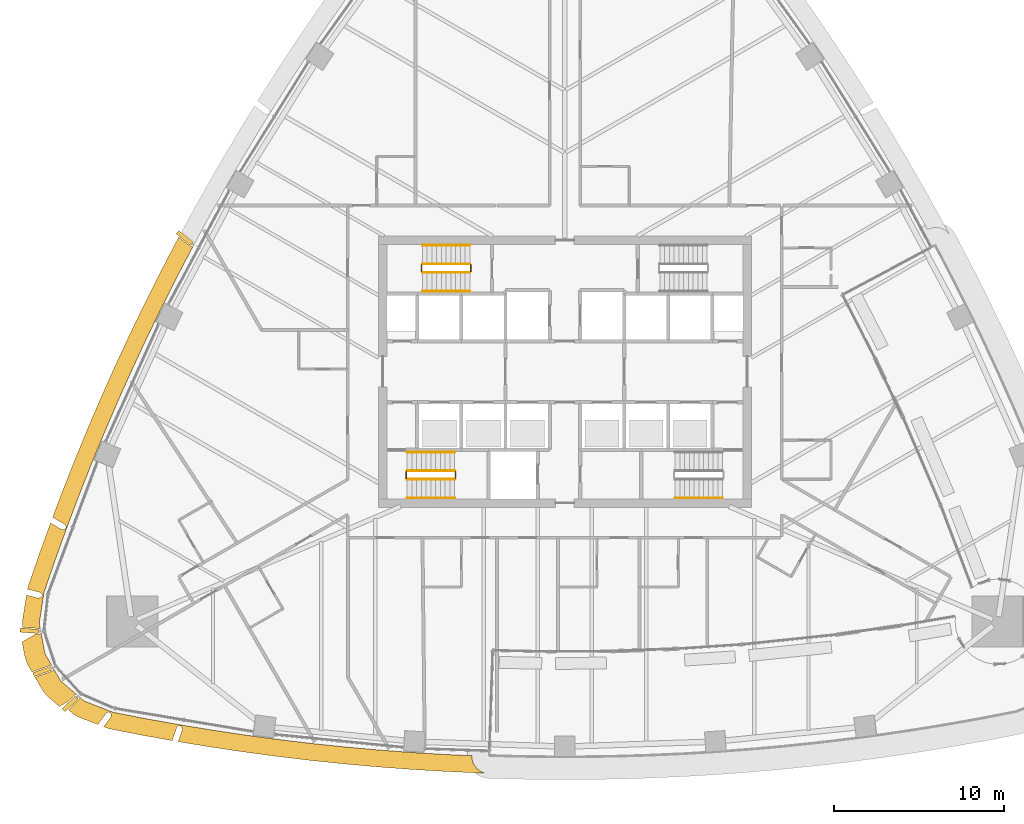
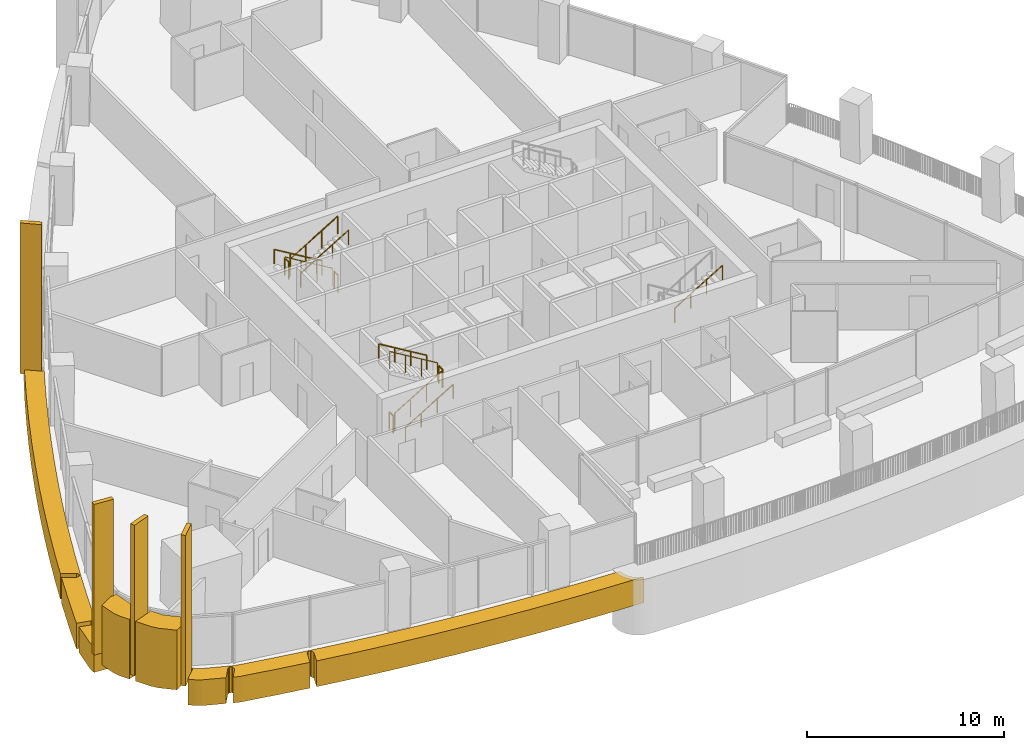
# One storey, part 18 of 22: 13 railings, 8 coverings.
"""IFC4 building model written with IfcOpenShell, lengths in metres."""

from ifc_helpers import new_model, si_unit, direction, frame, origin, origin_2d, place, context, subcontext, project, spatial, polyline, rectangle, circle, outline, extrude, material, layer, layer_set, material_profile, profile_set, type_object, element, save


model = new_model("IFC4")

# Units and contexts
model_context = context("Model", 3, precision=1e-05, world=origin(), true_north=direction((0.0, 1.0)))
body_context = subcontext(model_context, "Body", "Model", "MODEL_VIEW")
ifc_project = project(units=[si_unit("LENGTHUNIT", "METRE"), si_unit("AREAUNIT", "SQUARE_METRE"), si_unit("VOLUMEUNIT", "CUBIC_METRE"), si_unit("PLANEANGLEUNIT", "RADIAN"), si_unit("MASSUNIT", "GRAM", prefix="KILO")], contexts=[model_context])

# Site, building, storey
site_placement = place(None, origin())
site = spatial("IfcSite", under=ifc_project, at=site_placement, CompositionType="ELEMENT")
building_placement = place(site_placement, origin())
building = spatial("IfcBuilding", under=site, at=building_placement, Name="Sierra Prisma Convention Tower", CompositionType="ELEMENT")
storey_placement = place(building_placement, frame((0.0, 0.0, 103.5)))
storey = spatial("IfcBuildingStorey", under=building, at=storey_placement, Name="L22", CompositionType="ELEMENT", Elevation=103.5)

# Coverings
ifc_material_1 = material(Name="Aluminium composite bronze anodised", Category="aluminium")
ifc_layer_1 = layer(ifc_material_1, 1.199951171875)
ifc_layer_set_1 = layer_set([ifc_layer_1], Name="Bronze corner pier")
covering_type_1 = type_object("IfcCoveringType", Name="Bronze corner pier", PredefinedType="CLADDING", material=ifc_layer_set_1)
covering_1_placement = place(storey_placement, frame((0.0, 0.0, -0.60009765625)))
element("IfcCovering", 1, at=covering_1_placement, inside=storey, type_object=covering_type_1, Name="Corner pier SW L22.1", PredefinedType="CLADDING", context=body_context, shape_type="SweptSolid", body=[
    extrude(outline(polyline([(-31.223876953125, -15.48681640625), (-31.04638671875, -15.50048828125), (-31.04150390625, -15.50048828125), (-31.036376953125, -15.500244140625), (-31.031494140625, -15.49951171875), (-31.02685546875, -15.498046875), (-31.022216796875, -15.49609375), (-31.017578125, -15.493896484375), (-31.013427734375, -15.4912109375), (-30.8955078125, -15.4072265625), (-30.6650390625, -16.6416015625), (-30.260986328125, -17.341552734375), (-30.345703125, -17.33154296875), (-30.350341796875, -17.331298828125), (-30.35498046875, -17.331298828125), (-30.359619140625, -17.33203125), (-30.3642578125, -17.3330078125), (-30.36865234375, -17.334228515625), (-31.40234375, -17.71044921875), (-31.40673828125, -17.71240234375), (-31.4111328125, -17.71484375), (-31.415283203125, -17.717529296875), (-31.4189453125, -17.720703125), (-31.42236328125, -17.72412109375), (-31.42431640625, -17.7265625), (-31.7041015625, -17.24169921875), (-31.844482421875, -16.862060546875), (-32.01611328125, -15.944091796875), (-31.223876953125, -15.48681640625)])), origin(), (0.0, 0.0, 1.0), 3.7001953125),
])
covering_2_placement = place(storey_placement, frame((0.0, 0.0, -0.60009765625)))
element("IfcCovering", 2, at=covering_2_placement, inside=storey, type_object=covering_type_1, Name="Corner pier SW L22.2", PredefinedType="CLADDING", context=body_context, shape_type="SweptSolid", body=[
    extrude(outline(polyline([(-28.794921875, -19.04931640625), (-28.8896484375, -19.07470703125), (-28.89453125, -19.076416015625), (-28.899169921875, -19.078369140625), (-28.903564453125, -19.080810546875), (-28.90771484375, -19.083984375), (-28.91162109375, -19.08740234375), (-29.272216796875, -19.440673828125), (-29.816162109375, -19.754638671875), (-30.525390625, -19.147216796875), (-30.783935546875, -18.835693359375), (-31.25048828125, -18.027587890625), (-30.248779296875, -17.6630859375), (-30.24462890625, -17.661376953125), (-30.240478515625, -17.6591796875), (-30.236572265625, -17.65673828125), (-30.23291015625, -17.65380859375), (-30.229736328125, -17.650634765625), (-30.2265625, -17.64697265625), (-30.223876953125, -17.643310546875), (-30.151611328125, -17.53076171875), (-29.74462890625, -18.23583984375), (-28.794921875, -19.04931640625)])), origin(), (0.0, 0.0, 1.0), 3.7001953125),
])
ifc_material_2 = material(Name="Aluminium 6063-T6 bronze anodised", Category="aluminium")
ifc_material_profile = material_profile(ifc_material_2, rectangle(XDim=1.10009765625, YDim=0.25, at=origin_2d()), Name="ALU FIN 1100x250")
ifc_profile_set = profile_set([ifc_material_profile], Name="Aluminium 6063-T6 bronze anodised")
covering_type_2 = type_object("IfcCoveringType", Name="Bronze facade fin", PredefinedType="CLADDING", material=ifc_profile_set)
for number, where, z_axis, x_axis, name in (
    (3, (-22.41845703125, 7.881591796875, -0.300048828125), (0.0, 0.0, 1.0), (-0.784743456206, 0.619820706287, 0.0), "Fin L22.25"),
    (4, (-31.581298828125, -15.28369140625, -0.300048828125), (0.0, 0.0, 1.0), (-0.997028311652, 0.07703600304, 0.0), "Fin L22.33"),
    (5, (-30.82568359375, -17.686767578125, -0.300048828125), (0.0, 0.0, 1.0), (-0.939692620786, -0.342020143326, 0.0), "Fin L22.34"),
    (6, (-29.181884765625, -19.59716796875, -0.300048828125), (0.0, 0.0, 1.0), (-0.714250209519, -0.699890447286, 0.0), "Fin L22.35"),
):
    element("IfcCovering", number, at=place(storey_placement, frame(where, z_axis=z_axis, x_axis=x_axis)), inside=storey, type_object=covering_type_2, Name=name, ObjectType="FIN", PredefinedType="CLADDING", context=body_context, shape_type="SweptSolid", body=[
        extrude(rectangle(XDim=1.10009765625, YDim=0.25, at=origin_2d()), origin(), (0.0, 0.0, 1.0), 9.35009765625),
    ])
ifc_material_3 = material(Name="Aluminium composite bronze anodised", Category="aluminium")
ifc_layer_2 = layer(ifc_material_3, 1.0)
ifc_layer_set_2 = layer_set([ifc_layer_2], Name="Bronze spandrel band")
covering_type_3 = type_object("IfcCoveringType", Name="Bronze spandrel band", PredefinedType="CLADDING", material=ifc_layer_set_2)
covering_3_placement = place(storey_placement, frame((0.0, 0.0, -1.60009765625)))
element("IfcCovering", 7, at=covering_3_placement, inside=storey, type_object=covering_type_3, Name="Spandrel band L22.1", PredefinedType="CLADDING", context=body_context, shape_type="SweptSolid", body=[
    extrude(outline(polyline([(-22.074462890625, 7.3935546875), (-22.06982421875, 7.392822265625), (-22.065185546875, 7.392578125), (-21.931640625, 7.39013671875), (-22.120361328125, 7.039794921875), (-23.035888671875, 5.27783203125), (-23.647216796875, 4.0576171875), (-23.648681640625, 4.055908203125), (-23.65234375, 4.052490234375), (-23.655517578125, 4.048828125), (-23.658203125, 4.044921875), (-23.660400390625, 4.040771484375), (-24.18994140625, 2.9638671875), (-24.19189453125, 2.95947265625), (-24.193359375, 2.95458984375), (-24.1943359375, 2.949951171875), (-24.195068359375, 2.945068359375), (-24.195068359375, 2.943115234375), (-24.7880859375, 1.7138671875), (-25.62451171875, -0.08740234375), (-26.43408203125, -1.900634765625), (-27.216796875, -3.7255859375), (-27.359130859375, -4.0712890625), (-27.359375, -4.07177734375), (-27.362548828125, -4.0751953125), (-27.365234375, -4.0791015625), (-27.36767578125, -4.083251953125), (-27.36962890625, -4.08740234375), (-27.826416015625, -5.197265625), (-27.827880859375, -5.201904296875), (-27.8291015625, -5.20654296875), (-27.829833984375, -5.21142578125), (-27.830078125, -5.21630859375), (-27.972412109375, -5.56201171875), (-28.70068359375, -7.409423828125), (-29.401611328125, -9.267578125), (-30.07470703125, -11.135498046875), (-30.72021484375, -13.013671875), (-31.0029296875, -14.83251953125), (-30.935791015625, -15.191650390625), (-30.99951171875, -15.1572265625), (-31.00439453125, -15.155029296875), (-31.00927734375, -15.1533203125), (-31.01416015625, -15.152099609375), (-31.019287109375, -15.151611328125), (-31.974609375, -15.07763671875), (-31.986083984375, -15.01611328125), (-31.9912109375, -14.6787109375), (-31.75830078125, -13.180908203125), (-31.05810546875, -13.353515625), (-31.052978515625, -13.3544921875), (-31.048095703125, -13.35498046875), (-31.043212890625, -13.354736328125), (-31.0380859375, -13.354248046875), (-31.033203125, -13.353271484375), (-31.0283203125, -13.3515625), (-30.887451171875, -13.298095703125), (-30.883056640625, -13.296142578125), (-30.87890625, -13.2939453125), (-30.875, -13.291259765625), (-30.871337890625, -13.2880859375), (-30.867919921875, -13.28466796875), (-30.864990234375, -13.281005859375), (-30.8623046875, -13.277099609375), (-30.860107421875, -13.272705078125), (-30.8583984375, -13.268310546875), (-30.856689453125, -13.263916015625), (-30.85595703125, -13.259033203125), (-30.840576171875, -13.160400390625), (-30.840087890625, -13.155517578125), (-30.83984375, -13.150634765625), (-30.84033203125, -13.145751953125), (-30.84130859375, -13.14111328125), (-30.842529296875, -13.13623046875), (-30.844482421875, -13.1318359375), (-30.8466796875, -13.12744140625), (-30.849365234375, -13.123291015625), (-30.852294921875, -13.11962890625), (-30.855712890625, -13.1162109375), (-30.951904296875, -13.025634765625), (-30.955810546875, -13.0224609375), (-30.960205078125, -13.01953125), (-30.964599609375, -13.01708984375), (-30.969482421875, -13.01513671875), (-30.974365234375, -13.013671875), (-31.701904296875, -12.834228515625), (-31.666015625, -12.6884765625), (-31.0205078125, -10.810546875), (-31.015380859375, -10.796630859375), (-30.34228515625, -8.928466796875), (-30.339599609375, -8.921142578125), (-29.6904296875, -9.30517578125), (-29.686279296875, -9.307373046875), (-29.681884765625, -9.30908203125), (-29.677490234375, -9.310546875), (-29.673095703125, -9.3115234375), (-29.66845703125, -9.31201171875), (-29.663818359375, -9.312255859375), (-29.6591796875, -9.311767578125), (-29.500732421875, -9.293212890625), (-29.495849609375, -9.29248046875), (-29.4912109375, -9.291259765625), (-29.486328125, -9.289306640625), (-29.48193359375, -9.287109375), (-29.477783203125, -9.284423828125), (-29.473876953125, -9.281494140625), (-29.47021484375, -9.278076171875), (-29.467041015625, -9.274169921875), (-29.464111328125, -9.27001953125), (-29.4619140625, -9.265869140625), (-29.459716796875, -9.26123046875), (-29.424560546875, -9.16748046875), (-29.423095703125, -9.16259765625), (-29.422119140625, -9.15771484375), (-29.42138671875, -9.152587890625), (-29.42138671875, -9.147216796875), (-29.422119140625, -9.14208984375), (-29.423095703125, -9.13720703125), (-29.4248046875, -9.132080078125), (-29.4267578125, -9.12744140625), (-29.42919921875, -9.123046875), (-29.49560546875, -9.02001953125), (-29.498291015625, -9.01611328125), (-29.50146484375, -9.0126953125), (-29.504638671875, -9.009521484375), (-29.50830078125, -9.006591796875), (-29.51220703125, -9.00390625), (-30.214111328125, -8.588623046875), (-29.63623046875, -7.056396484375), (-29.631103515625, -7.042724609375), (-28.902587890625, -5.1953125), (-28.897216796875, -5.181640625), (-28.1416015625, -3.34521484375), (-28.1357421875, -3.33154296875), (-27.353271484375, -1.50634765625), (-27.34716796875, -1.492919921875), (-26.53759765625, 0.3203125), (-26.531494140625, 0.333984375), (-25.695068359375, 2.135009765625), (-25.688720703125, 2.148193359375), (-24.82568359375, 3.936767578125), (-24.8193359375, 3.9501953125), (-23.929931640625, 5.7255859375), (-23.923095703125, 5.73876953125), (-23.0078125, 7.5009765625), (-23.000732421875, 7.51416015625), (-22.7724609375, 7.93798828125), (-22.095458984375, 7.4033203125), (-22.091552734375, 7.400634765625), (-22.087646484375, 7.398193359375), (-22.08349609375, 7.396240234375), (-22.0791015625, 7.394775390625), (-22.074462890625, 7.3935546875)])), origin(), (0.0, 0.0, 1.0), 1.60009765625),
])
covering_4_placement = place(storey_placement, frame((0.0, 0.0, -1.60009765625)))
element("IfcCovering", 8, at=covering_4_placement, inside=storey, type_object=covering_type_3, Name="Spandrel band L22.2", PredefinedType="CLADDING", context=body_context, shape_type="SweptSolid", body=[
    extrude(outline(polyline([(-17.210693359375, -21.658935546875), (-17.205810546875, -21.657958984375), (-17.205810546875, -21.657958984375), (-16.8349609375, -21.70751953125), (-14.863037109375, -21.9423828125), (-12.887939453125, -22.147705078125), (-10.909912109375, -22.323974609375), (-9.548828125, -22.425048828125), (-9.547119140625, -22.42578125), (-9.54248046875, -22.427978515625), (-9.537841796875, -22.429443359375), (-9.533203125, -22.430419921875), (-9.5283203125, -22.430908203125), (-8.330810546875, -22.510986328125), (-8.326171875, -22.510986328125), (-8.3212890625, -22.510498046875), (-8.31640625, -22.509765625), (-8.31201171875, -22.508544921875), (-8.309814453125, -22.5078125), (-6.947265625, -22.58837890625), (-5.47900390625, -22.65380859375), (-5.47900390625, -22.65771484375), (-5.477294921875, -22.758056640625), (-5.4658203125, -22.85791015625), (-5.444580078125, -22.955810546875), (-5.4140625, -23.051513671875), (-5.3740234375, -23.143310546875), (-5.3251953125, -23.23095703125), (-5.26806640625, -23.3134765625), (-5.203125, -23.389892578125), (-5.130859375, -23.45947265625), (-5.05224609375, -23.521728515625), (-4.9677734375, -23.575927734375), (-4.87841796875, -23.62158203125), (-4.78515625, -23.658203125), (-4.689697265625, -23.685302734375), (-4.992919921875, -23.67626953125), (-5.0078125, -23.67578125), (-6.99169921875, -23.58740234375), (-7.00634765625, -23.586669921875), (-8.98876953125, -23.46923828125), (-9.00341796875, -23.46826171875), (-10.98388671875, -23.3212890625), (-10.99853515625, -23.320068359375), (-12.9765625, -23.143798828125), (-12.9912109375, -23.142578125), (-14.966552734375, -22.93701171875), (-14.981201171875, -22.935302734375), (-16.953125, -22.70068359375), (-16.9677734375, -22.69873046875), (-18.935791015625, -22.434814453125), (-18.95068359375, -22.432861328125), (-20.914794921875, -22.139892578125), (-20.92919921875, -22.137451171875), (-22.814208984375, -21.82763671875), (-22.563720703125, -21.1162109375), (-22.5625, -21.11181640625), (-22.561279296875, -21.107421875), (-22.560791015625, -21.102783203125), (-22.560791015625, -21.097900390625), (-22.561279296875, -21.093505859375), (-22.56201171875, -21.0888671875), (-22.563232421875, -21.084228515625), (-22.6123046875, -20.9326171875), (-22.614013671875, -20.927978515625), (-22.6162109375, -20.923583984375), (-22.618896484375, -20.919189453125), (-22.621826171875, -20.915283203125), (-22.62548828125, -20.911865234375), (-22.629150390625, -20.908447265625), (-22.63330078125, -20.90576171875), (-22.637451171875, -20.9033203125), (-22.64208984375, -20.901123046875), (-22.646728515625, -20.899658203125), (-22.651611328125, -20.898681640625), (-22.750244140625, -20.88232421875), (-22.755615234375, -20.881591796875), (-22.7607421875, -20.881591796875), (-22.765869140625, -20.882080078125), (-22.77099609375, -20.88330078125), (-22.77587890625, -20.884765625), (-22.780517578125, -20.88671875), (-22.78515625, -20.889404296875), (-22.789306640625, -20.892333984375), (-22.793212890625, -20.895751953125), (-22.88134765625, -20.980712890625), (-22.884521484375, -20.984130859375), (-22.887451171875, -20.98779296875), (-22.889892578125, -20.99169921875), (-22.89208984375, -20.995849609375), (-22.893798828125, -21.0), (-23.16357421875, -21.76611328125), (-24.85791015625, -21.4619140625), (-24.87255859375, -21.459228515625), (-26.821533203125, -21.079345703125), (-26.9912109375, -21.0302734375), (-27.20458984375, -20.94775390625), (-26.783935546875, -20.372314453125), (-26.78125, -20.3681640625), (-26.779052734375, -20.36376953125), (-26.777099609375, -20.359130859375), (-26.77587890625, -20.354248046875), (-26.77490234375, -20.349365234375), (-26.7744140625, -20.344482421875), (-26.7744140625, -20.339599609375), (-26.785400390625, -20.171875), (-26.7861328125, -20.167236328125), (-26.787109375, -20.16259765625), (-26.78857421875, -20.157958984375), (-26.790283203125, -20.15380859375), (-26.79248046875, -20.1494140625), (-26.795166015625, -20.1455078125), (-26.798095703125, -20.141845703125), (-26.801513671875, -20.138427734375), (-26.804931640625, -20.135498046875), (-26.808837890625, -20.1328125), (-26.81298828125, -20.13037109375), (-26.8173828125, -20.12841796875), (-26.91064453125, -20.09228515625), (-26.915283203125, -20.0908203125), (-26.920166015625, -20.08984375), (-26.925048828125, -20.089111328125), (-26.93017578125, -20.089111328125), (-26.93505859375, -20.089599609375), (-26.93994140625, -20.09033203125), (-26.944580078125, -20.091796875), (-26.94921875, -20.093505859375), (-26.95361328125, -20.095703125), (-27.05126953125, -20.152099609375), (-27.0556640625, -20.15478515625), (-27.059814453125, -20.158203125), (-27.0634765625, -20.16162109375), (-27.066650390625, -20.165771484375), (-27.542236328125, -20.81689453125), (-28.707763671875, -20.36572265625), (-28.997314453125, -20.192626953125), (-29.28662109375, -19.94482421875), (-28.66650390625, -19.33740234375), (-28.6630859375, -19.33349609375), (-28.66015625, -19.32958984375), (-28.65771484375, -19.3251953125), (-28.655517578125, -19.32080078125), (-28.65380859375, -19.31591796875), (-28.652587890625, -19.31103515625), (-28.62939453125, -19.191162109375), (-28.3466796875, -19.43310546875), (-26.630126953125, -20.09765625), (-24.68115234375, -20.477783203125), (-22.7265625, -20.82861328125), (-20.76708984375, -21.15087890625), (-18.802978515625, -21.44384765625), (-18.432373046875, -21.493408203125), (-18.42822265625, -21.49560546875), (-18.423583984375, -21.497314453125), (-18.4189453125, -21.498779296875), (-18.414306640625, -21.49951171875), (-17.224853515625, -21.6591796875), (-17.22021484375, -21.659423828125), (-17.21533203125, -21.659423828125), (-17.210693359375, -21.658935546875)])), origin(), (0.0, 0.0, 1.0), 1.60009765625),
])

# Railings
ifc_material_4 = material(Name="Stainless steel", Category="steel")
railing_type_1 = type_object("IfcRailingType", Name="Exit stair handrail", PredefinedType="HANDRAIL", material=ifc_material_4)
railing_1_placement = place(storey_placement, frame((-9.300048828125, -7.449951171875, 0.168212890625)))
element("IfcRailing", 9, at=railing_1_placement, inside=storey, type_object=railing_type_1, Name="L22 S1 stair handrail 1", PredefinedType="HANDRAIL", context=body_context, shape_type="SweptSolid", body=[
    extrude(circle(Radius=0.02392578125, at=origin_2d()), frame((0.0, 0.0, 0.8759765625), z_axis=(0.857242210791, 0.0, 0.514913383045), x_axis=(0.0, 1.0, 0.0)), (0.0, 0.0, 1.0), 3.266357421875),
    extrude(circle(Radius=0.02099609375, at=origin_2d()), origin(), (0.0, 0.0, 1.0), 0.851806640625),
    extrude(circle(Radius=0.02099609375, at=origin_2d()), frame((0.933349609375, 0.0, 0.560546875)), (0.0, 0.0, 1.0), 0.851806640625),
    extrude(circle(Radius=0.02099609375, at=origin_2d()), frame((1.86669921875, 0.0, 1.121337890625)), (0.0, 0.0, 1.0), 0.851806640625),
    extrude(circle(Radius=0.02099609375, at=origin_2d()), frame((2.800048828125, 0.0, 1.681884765625)), (0.0, 0.0, 1.0), 0.851806640625),
])
railing_2_placement = place(storey_placement, frame((-6.5, -4.75, 2.01806640625)))
element("IfcRailing", 10, at=railing_2_placement, inside=storey, type_object=railing_type_1, Name="L22 S1 stair handrail 2", PredefinedType="HANDRAIL", context=body_context, shape_type="SweptSolid", body=[
    extrude(circle(Radius=0.02392578125, at=origin_2d()), frame((0.0, 0.0, 0.8759765625), z_axis=(-0.857242210791, 0.0, 0.514913383045), x_axis=(0.0, -1.0, 0.0)), (0.0, 0.0, 1.0), 3.266357421875),
    extrude(circle(Radius=0.02099609375, at=origin_2d()), origin(), (0.0, 0.0, 1.0), 0.851806640625),
    extrude(circle(Radius=0.02099609375, at=origin_2d()), frame((-0.933349609375, 0.0, 0.560546875)), (0.0, 0.0, 1.0), 0.851806640625),
    extrude(circle(Radius=0.02099609375, at=origin_2d()), frame((-1.86669921875, 0.0, 1.121337890625)), (0.0, 0.0, 1.0), 0.851806640625),
    extrude(circle(Radius=0.02099609375, at=origin_2d()), frame((-2.800048828125, 0.0, 1.681884765625)), (0.0, 0.0, 1.0), 0.851806640625),
])
railing_3_placement = place(storey_placement, frame((6.5, -7.449951171875, 2.01806640625)))
element("IfcRailing", 11, at=railing_3_placement, inside=storey, type_object=railing_type_1, Name="L22 S2 stair handrail 2", PredefinedType="HANDRAIL", context=body_context, shape_type="SweptSolid", body=[
    extrude(circle(Radius=0.02392578125, at=origin_2d()), frame((0.0, 0.0, 0.8759765625), z_axis=(0.857242210791, 0.0, 0.514913383045), x_axis=(0.0, 1.0, 0.0)), (0.0, 0.0, 1.0), 3.266357421875),
    extrude(circle(Radius=0.02099609375, at=origin_2d()), origin(), (0.0, 0.0, 1.0), 0.851806640625),
    extrude(circle(Radius=0.02099609375, at=origin_2d()), frame((0.933349609375, 0.0, 0.560546875)), (0.0, 0.0, 1.0), 0.851806640625),
    extrude(circle(Radius=0.02099609375, at=origin_2d()), frame((1.86669921875, 0.0, 1.121337890625)), (0.0, 0.0, 1.0), 0.851806640625),
    extrude(circle(Radius=0.02099609375, at=origin_2d()), frame((2.800048828125, 0.0, 1.681884765625)), (0.0, 0.0, 1.0), 0.851806640625),
])
railing_4_placement = place(storey_placement, frame((-5.60009765625, 7.449951171875, 0.168212890625)))
element("IfcRailing", 12, at=railing_4_placement, inside=storey, type_object=railing_type_1, Name="L22 S3 stair handrail 1", PredefinedType="HANDRAIL", context=body_context, shape_type="SweptSolid", body=[
    extrude(circle(Radius=0.02392578125, at=origin_2d()), frame((0.0, 0.0, 0.8759765625), z_axis=(-0.857222391501, 0.0, 0.514946377315), x_axis=(0.0, -1.0, 0.0)), (0.0, 0.0, 1.0), 3.26611328125),
    extrude(circle(Radius=0.02099609375, at=origin_2d()), origin(), (0.0, 0.0, 1.0), 0.851806640625),
    extrude(circle(Radius=0.02099609375, at=origin_2d()), frame((-0.933349609375, 0.0, 0.560546875)), (0.0, 0.0, 1.0), 0.851806640625),
    extrude(circle(Radius=0.02099609375, at=origin_2d()), frame((-1.866455078125, 0.0, 1.121337890625)), (0.0, 0.0, 1.0), 0.851806640625),
    extrude(circle(Radius=0.02099609375, at=origin_2d()), frame((-2.7998046875, 0.0, 1.681884765625)), (0.0, 0.0, 1.0), 0.851806640625),
])
railing_5_placement = place(storey_placement, frame((-8.39990234375, 4.75, 2.01806640625)))
element("IfcRailing", 13, at=railing_5_placement, inside=storey, type_object=railing_type_1, Name="L22 S3 stair handrail 2", PredefinedType="HANDRAIL", context=body_context, shape_type="SweptSolid", body=[
    extrude(circle(Radius=0.02392578125, at=origin_2d()), frame((0.0, 0.0, 0.8759765625), z_axis=(0.857222391501, 0.0, 0.514946377315), x_axis=(0.0, 1.0, 0.0)), (0.0, 0.0, 1.0), 3.26611328125),
    extrude(circle(Radius=0.02099609375, at=origin_2d()), origin(), (0.0, 0.0, 1.0), 0.851806640625),
    extrude(circle(Radius=0.02099609375, at=origin_2d()), frame((0.933349609375, 0.0, 0.560546875)), (0.0, 0.0, 1.0), 0.851806640625),
    extrude(circle(Radius=0.02099609375, at=origin_2d()), frame((1.866455078125, 0.0, 1.121337890625)), (0.0, 0.0, 1.0), 0.851806640625),
    extrude(circle(Radius=0.02099609375, at=origin_2d()), frame((2.7998046875, 0.0, 1.681884765625)), (0.0, 0.0, 1.0), 0.851806640625),
])
ifc_material_5 = material(Name="Stainless steel", Category="steel")
railing_type_2 = type_object("IfcRailingType", Name="Stair guard 1100", PredefinedType="GUARDRAIL", material=ifc_material_5)
railing_6_placement = place(storey_placement, frame((-9.300048828125, -6.35009765625, 0.168212890625)))
element("IfcRailing", 14, at=railing_6_placement, inside=storey, type_object=railing_type_2, Name="L22 S1 stair guard 1", PredefinedType="GUARDRAIL", context=body_context, shape_type="SweptSolid", body=[
    extrude(circle(Radius=0.02392578125, at=origin_2d()), frame((0.0, 0.0, 1.076171875), z_axis=(0.857242210791, 0.0, 0.514913383045), x_axis=(0.0, 1.0, 0.0)), (0.0, 0.0, 1.0), 3.266357421875),
    extrude(circle(Radius=0.02099609375, at=origin_2d()), origin(), (0.0, 0.0, 1.0), 1.052001953125),
    extrude(circle(Radius=0.02099609375, at=origin_2d()), frame((0.933349609375, 0.0, 0.560546875)), (0.0, 0.0, 1.0), 1.052001953125),
    extrude(circle(Radius=0.02099609375, at=origin_2d()), frame((1.86669921875, 0.0, 1.121337890625)), (0.0, 0.0, 1.0), 1.052001953125),
    extrude(circle(Radius=0.02099609375, at=origin_2d()), frame((2.800048828125, 0.0, 1.681884765625)), (0.0, 0.0, 1.0), 1.052001953125),
])
railing_7_placement = place(storey_placement, frame((-6.449951171875, -6.300048828125, 1.85009765625)))
element("IfcRailing", 15, at=railing_7_placement, inside=storey, type_object=railing_type_2, Name="L22 S1 stair guard 2", PredefinedType="GUARDRAIL", context=body_context, shape_type="SweptSolid", body=[
    extrude(circle(Radius=0.02392578125, at=origin_2d()), frame((0.0, 0.0, 1.076171875), z_axis=(0.0, 1.0, 0.0), x_axis=(-1.0, 0.0, 0.0)), (0.0, 0.0, 1.0), 0.400146484375),
    extrude(circle(Radius=0.02099609375, at=origin_2d()), origin(), (0.0, 0.0, 1.0), 1.052001953125),
    extrude(circle(Radius=0.02099609375, at=origin_2d()), frame((0.0, 0.400146484375, 0.0)), (0.0, 0.0, 1.0), 1.052001953125),
])
railing_8_placement = place(storey_placement, frame((-6.5, -5.85009765625, 2.01806640625)))
element("IfcRailing", 16, at=railing_8_placement, inside=storey, type_object=railing_type_2, Name="L22 S1 stair guard 3", PredefinedType="GUARDRAIL", context=body_context, shape_type="SweptSolid", body=[
    extrude(circle(Radius=0.02392578125, at=origin_2d()), frame((0.0, 0.0, 1.076171875), z_axis=(-0.857242210791, 0.0, 0.514913383045), x_axis=(0.0, -1.0, 0.0)), (0.0, 0.0, 1.0), 3.266357421875),
    extrude(circle(Radius=0.02099609375, at=origin_2d()), origin(), (0.0, 0.0, 1.0), 1.052001953125),
    extrude(circle(Radius=0.02099609375, at=origin_2d()), frame((-0.933349609375, 0.0, 0.560546875)), (0.0, 0.0, 1.0), 1.052001953125),
    extrude(circle(Radius=0.02099609375, at=origin_2d()), frame((-1.86669921875, 0.0, 1.121337890625)), (0.0, 0.0, 1.0), 1.052001953125),
    extrude(circle(Radius=0.02099609375, at=origin_2d()), frame((-2.800048828125, 0.0, 1.681884765625)), (0.0, 0.0, 1.0), 1.052001953125),
])
railing_9_placement = place(storey_placement, frame((-9.35009765625, -6.300048828125, 0.0)))
element("IfcRailing", 17, at=railing_9_placement, inside=storey, type_object=railing_type_2, Name="L22 S1 stair guard 4", PredefinedType="GUARDRAIL", context=body_context, shape_type="SweptSolid", body=[
    extrude(circle(Radius=0.02392578125, at=origin_2d()), frame((0.0, 0.0, 1.076171875), z_axis=(0.0, 1.0, 0.0), x_axis=(-1.0, 0.0, 0.0)), (0.0, 0.0, 1.0), 0.400146484375),
    extrude(circle(Radius=0.02099609375, at=origin_2d()), origin(), (0.0, 0.0, 1.0), 1.052001953125),
    extrude(circle(Radius=0.02099609375, at=origin_2d()), frame((0.0, 0.400146484375, 0.0)), (0.0, 0.0, 1.0), 1.052001953125),
])
railing_10_placement = place(storey_placement, frame((-5.60009765625, 6.35009765625, 0.168212890625)))
element("IfcRailing", 18, at=railing_10_placement, inside=storey, type_object=railing_type_2, Name="L22 S3 stair guard 1", PredefinedType="GUARDRAIL", context=body_context, shape_type="SweptSolid", body=[
    extrude(circle(Radius=0.02392578125, at=origin_2d()), frame((0.0, 0.0, 1.076171875), z_axis=(-0.857222391501, 0.0, 0.514946377315), x_axis=(0.0, -1.0, 0.0)), (0.0, 0.0, 1.0), 3.26611328125),
    extrude(circle(Radius=0.02099609375, at=origin_2d()), origin(), (0.0, 0.0, 1.0), 1.052001953125),
    extrude(circle(Radius=0.02099609375, at=origin_2d()), frame((-0.933349609375, 0.0, 0.560546875)), (0.0, 0.0, 1.0), 1.052001953125),
    extrude(circle(Radius=0.02099609375, at=origin_2d()), frame((-1.866455078125, 0.0, 1.121337890625)), (0.0, 0.0, 1.0), 1.052001953125),
    extrude(circle(Radius=0.02099609375, at=origin_2d()), frame((-2.7998046875, 0.0, 1.681884765625)), (0.0, 0.0, 1.0), 1.052001953125),
])
railing_11_placement = place(storey_placement, frame((-8.449951171875, 6.300048828125, 1.85009765625)))
element("IfcRailing", 19, at=railing_11_placement, inside=storey, type_object=railing_type_2, Name="L22 S3 stair guard 2", PredefinedType="GUARDRAIL", context=body_context, shape_type="SweptSolid", body=[
    extrude(circle(Radius=0.02392578125, at=origin_2d()), frame((0.0, 0.0, 1.076171875), z_axis=(0.0, -1.0, 0.0), x_axis=(1.0, 0.0, 0.0)), (0.0, 0.0, 1.0), 0.400146484375),
    extrude(circle(Radius=0.02099609375, at=origin_2d()), origin(), (0.0, 0.0, 1.0), 1.052001953125),
    extrude(circle(Radius=0.02099609375, at=origin_2d()), frame((0.0, -0.400146484375, 0.0)), (0.0, 0.0, 1.0), 1.052001953125),
])
railing_12_placement = place(storey_placement, frame((-8.39990234375, 5.85009765625, 2.01806640625)))
element("IfcRailing", 20, at=railing_12_placement, inside=storey, type_object=railing_type_2, Name="L22 S3 stair guard 3", PredefinedType="GUARDRAIL", context=body_context, shape_type="SweptSolid", body=[
    extrude(circle(Radius=0.02392578125, at=origin_2d()), frame((0.0, 0.0, 1.076171875), z_axis=(0.857222391501, 0.0, 0.514946377315), x_axis=(0.0, 1.0, 0.0)), (0.0, 0.0, 1.0), 3.26611328125),
    extrude(circle(Radius=0.02099609375, at=origin_2d()), origin(), (0.0, 0.0, 1.0), 1.052001953125),
    extrude(circle(Radius=0.02099609375, at=origin_2d()), frame((0.933349609375, 0.0, 0.560546875)), (0.0, 0.0, 1.0), 1.052001953125),
    extrude(circle(Radius=0.02099609375, at=origin_2d()), frame((1.866455078125, 0.0, 1.121337890625)), (0.0, 0.0, 1.0), 1.052001953125),
    extrude(circle(Radius=0.02099609375, at=origin_2d()), frame((2.7998046875, 0.0, 1.681884765625)), (0.0, 0.0, 1.0), 1.052001953125),
])
railing_13_placement = place(storey_placement, frame((-5.550048828125, 6.300048828125, 0.0)))
element("IfcRailing", 21, at=railing_13_placement, inside=storey, type_object=railing_type_2, Name="L22 S3 stair guard 4", PredefinedType="GUARDRAIL", context=body_context, shape_type="SweptSolid", body=[
    extrude(circle(Radius=0.02392578125, at=origin_2d()), frame((0.0, 0.0, 1.076171875), z_axis=(0.0, -1.0, 0.0), x_axis=(1.0, 0.0, 0.0)), (0.0, 0.0, 1.0), 0.400146484375),
    extrude(circle(Radius=0.02099609375, at=origin_2d()), origin(), (0.0, 0.0, 1.0), 1.052001953125),
    extrude(circle(Radius=0.02099609375, at=origin_2d()), frame((0.0, -0.400146484375, 0.0)), (0.0, 0.0, 1.0), 1.052001953125),
])

save(model, "model.ifc")
